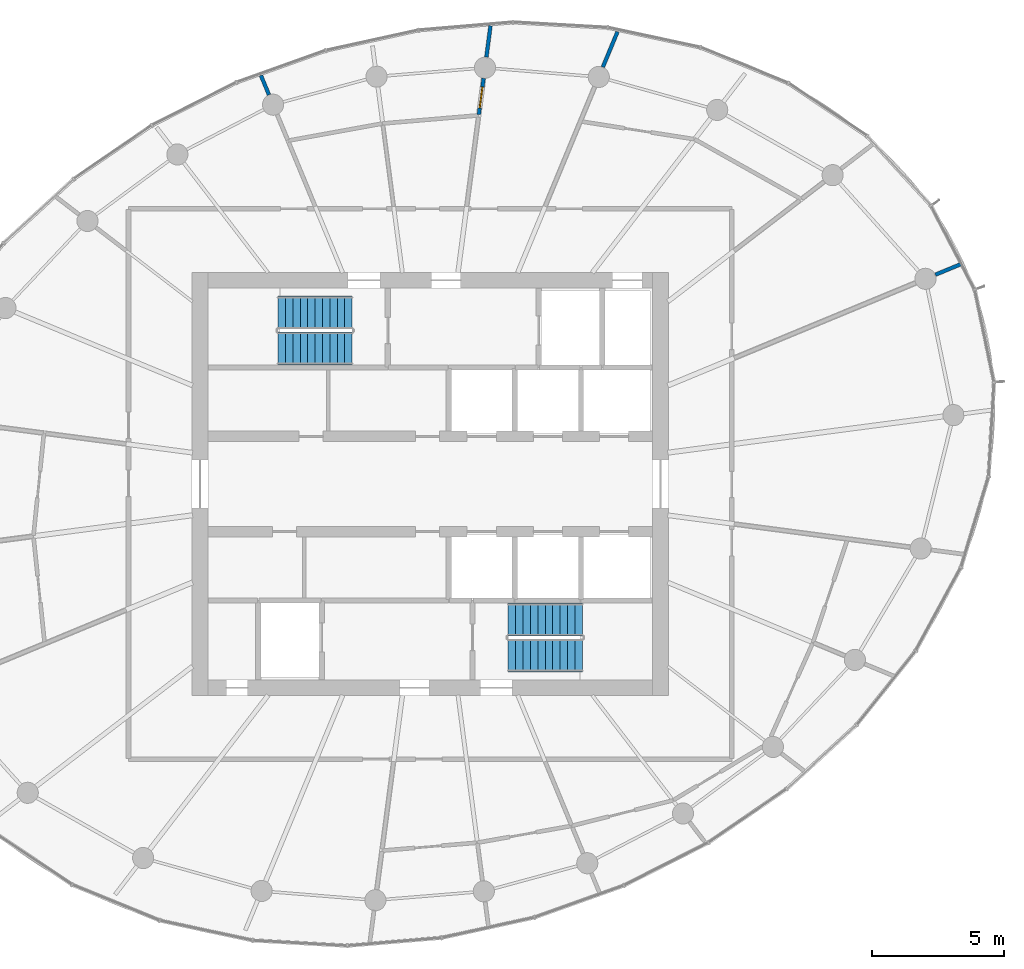
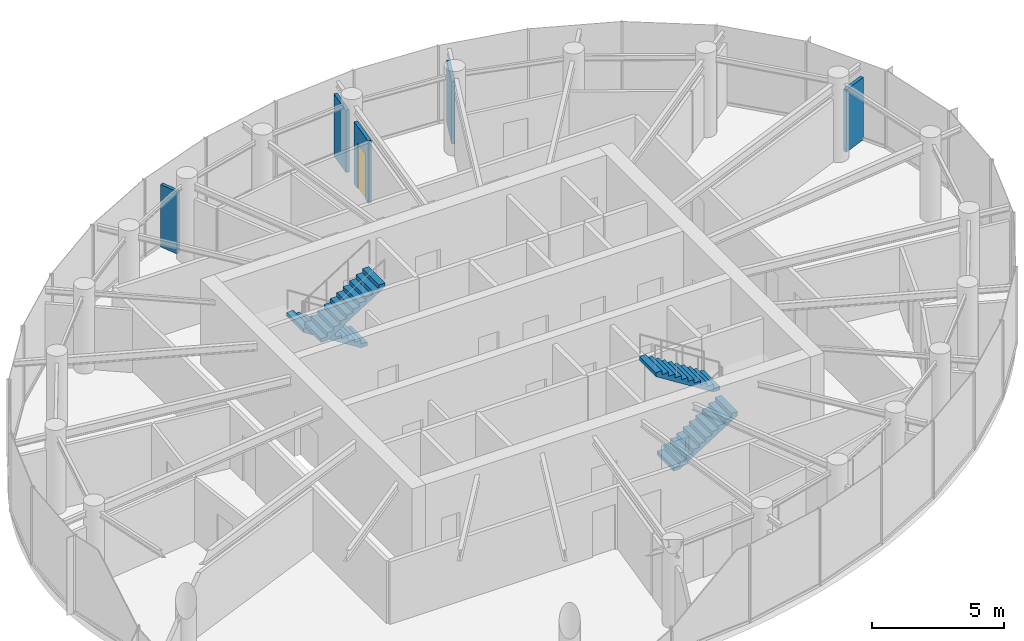
# One storey, part 11 of 13: 5 walls, 4 stair flights, 1 door, 1 opening, 2 elements without a shape of their own.
"""IFC4 building model written with IfcOpenShell, lengths in metres."""

from ifc_helpers import new_model, si_unit, direction, frame, frame_2d, origin, place, context, subcontext, project, spatial, line, indexed_curve, rectangle, outline, extrude, source, transform, mapped, material, layer, layer_set, type_object, element, fill, aggregate, save


model = new_model("IFC4")

# Units and contexts
model_context = context("Model", 3, precision=1e-05, world=origin(), true_north=direction((0.0, 1.0)))
body_context = subcontext(model_context, "Body", "Model", "MODEL_VIEW")
ifc_project = project(units=[si_unit("LENGTHUNIT", "METRE"), si_unit("AREAUNIT", "SQUARE_METRE"), si_unit("VOLUMEUNIT", "CUBIC_METRE"), si_unit("PLANEANGLEUNIT", "RADIAN"), si_unit("MASSUNIT", "GRAM", prefix="KILO")], contexts=[model_context])

# Site, building, storey
site_placement = place(None, origin())
site = spatial("IfcSite", under=ifc_project, at=site_placement, CompositionType="ELEMENT")
building_placement = place(site_placement, origin())
building = spatial("IfcBuilding", under=site, at=building_placement, Name="Spindrift Exchange Tower", CompositionType="ELEMENT")
storey_placement = place(building_placement, frame((0.0, 0.0, 246.199951171875)))
storey = spatial("IfcBuildingStorey", under=building, at=storey_placement, Name="L60", CompositionType="ELEMENT", Elevation=246.199951171875)

# Wall
ifc_material_1 = material(Name="Fire-rated plasterboard partition", Category="gypsum")
ifc_layer_1 = layer(ifc_material_1, 0.139892578125)
ifc_layer_set_1 = layer_set([ifc_layer_1], Name="W-PART-140")
wall_type_1 = type_object("IfcWallType", Name="W-PART-140", PredefinedType="PARTITIONING", material=ifc_layer_set_1)
wall_1_placement = place(storey_placement, frame((58.526611328125, 63.7568359375, 0.0), z_axis=(0.0, 0.0, 1.0), x_axis=(0.382765075607, 0.923845710547, 0.0)))
element("IfcWall", 1, at=wall_1_placement, inside=storey, type_object=wall_type_1, Name="L60 Partition wall 61", PredefinedType="PARTITIONING", context=body_context, shape_type="SweptSolid", body=[
    extrude(rectangle(XDim=1.443359375, YDim=0.139892578125, at=frame_2d((0.7216796875, 0.0))), origin(), (0.0, 0.0, 1.0), 2.880126953125),
])

# Wall, opening, door
wall_2_placement = place(storey_placement, frame((53.838134765625, 61.961669921875, 0.0), z_axis=(0.0, 0.0, 1.0), x_axis=(0.130541449635, 0.991442852578, 0.0)))
wall_2 = element("IfcWall", 2, at=wall_2_placement, inside=storey, type_object=wall_type_1, Name="L60 Partition wall 62", PredefinedType="PARTITIONING", context=body_context, shape_type="SweptSolid", body=[
    extrude(rectangle(XDim=1.380126953125, YDim=0.139892578125, at=frame_2d((0.68994140625, 0.0))), origin(), (0.0, 0.0, 1.0), 2.880126953125),
])
opening_placement = place(wall_2_placement, frame((0.25, 0.0, 0.0)))
opening = element("IfcOpeningElement", 3, at=opening_placement, cuts=wall_2, Name="Opening L60-D44", PredefinedType="OPENING", context=body_context, shape_type="SweptSolid", body=[
    extrude(rectangle(XDim=0.800048828125, YDim=2.10009765625, at=frame_2d((0.39990234375, 1.050048828125))), frame((0.0, 0.079833984375, 0.0), z_axis=(0.0, -1.0, 0.0), x_axis=(1.0, 0.0, 0.0)), (0.0, 0.0, 1.0), 0.159912109375),
])
ifc_material_2 = material(Name="Timber-core fire door", Category="wood")
door_type = type_object("IfcDoorType", Name="DR-ROOM-800", OperationType="NOTDEFINED", PredefinedType="DOOR", material=ifc_material_2)
shared_shape = source(origin(), body_context, "Body", "SweptSolid", [
    extrude(rectangle(XDim=0.800048828125, YDim=2.10009765625, at=frame_2d((0.39990234375, 1.050048828125))), frame((0.0, 0.02490234375, 0.0), z_axis=(0.0, -1.0, 0.0), x_axis=(1.0, 0.0, 0.0)), (0.0, 0.0, 1.0), 0.050048828125),
])
door_placement = place(opening_placement, origin())
door = element("IfcDoor", 4, at=door_placement, inside=storey, type_object=door_type, Name="L60 Door 44", OperationType="SINGLE_SWING_LEFT", OverallHeight=2.10009765625, OverallWidth=0.800048828125, PredefinedType="DOOR", context=body_context, shape_type="MappedRepresentation", body=[
    mapped(shared_shape, transform((0.0, 0.0, 0.0), scale=1.0)),
])
fill(opening, door)

# Walls
wall_3_placement = place(storey_placement, frame((54.123779296875, 64.13232421875, 0.0), z_axis=(0.0, 0.0, 1.0), x_axis=(0.130570798277, 0.991438987854, 0.0)))
element("IfcWall", 5, at=wall_3_placement, inside=storey, type_object=wall_type_1, Name="L60 Partition wall 67", PredefinedType="PARTITIONING", context=body_context, shape_type="SweptSolid", body=[
    extrude(rectangle(XDim=1.19482421875, YDim=0.139892578125, at=frame_2d((0.597412109375, 0.0))), origin(), (0.0, 0.0, 1.0), 2.880126953125),
])
wall_4_placement = place(storey_placement, frame((45.90771484375, 62.708251953125, 0.0), z_axis=(0.0, 0.0, 1.0), x_axis=(-0.382669005831, 0.923885508045, 0.0)))
element("IfcWall", 6, at=wall_4_placement, inside=storey, type_object=wall_type_1, Name="L60 Partition wall 79", PredefinedType="PARTITIONING", context=body_context, shape_type="SweptSolid", body=[
    extrude(rectangle(XDim=0.79296875, YDim=0.139892578125, at=frame_2d((0.396484375, 0.0))), origin(), (0.0, 0.0, 1.0), 2.880126953125),
])
ifc_layer_2 = layer(ifc_material_1, 0.139892578125)
ifc_layer_set_2 = layer_set([ifc_layer_2], Name="W-PLANT-140")
wall_type_2 = type_object("IfcWallType", Name="W-PLANT-140", PredefinedType="PARTITIONING", material=ifc_layer_set_2)
wall_5_placement = place(storey_placement, frame((71.09375, 55.908935546875, 0.0), z_axis=(0.0, 0.0, 1.0), x_axis=(0.92391047829, 0.382608714102, 0.0)))
element("IfcWall", 7, at=wall_5_placement, inside=storey, type_object=wall_type_2, Name="L60 Partition wall 76", PredefinedType="PARTITIONING", context=body_context, shape_type="SweptSolid", body=[
    extrude(rectangle(XDim=1.06298828125, YDim=0.139892578125, at=frame_2d((0.531494140625, 0.0))), origin(), (0.0, 0.0, 1.0), 2.880126953125),
])

# Stair, stair flights
ifc_material_3 = material(Name="Concrete 50 MPa", Category="concrete")
stair_type = type_object("IfcStairType", Name="ST-1250-R177", PredefinedType="HALF_TURN_STAIR", material=ifc_material_3)
stair_1_placement = place(storey_placement, origin())
stair_1 = element("IfcStair", 8, at=stair_1_placement, inside=storey, type_object=stair_type, Name="L60 Exit stair ST1", PredefinedType="HALF_TURN_STAIR")
stair_flight_type = type_object("IfcStairFlightType", Name="STF-1250-R177", PredefinedType="STRAIGHT", material=ifc_material_3)
stair_flight_1_placement = place(storey_placement, frame((49.050048828125, 54.47509765625, 0.0), z_axis=(0.0, 0.0, 1.0), x_axis=(-1.0, 0.0, 0.0)))
stair_flight_1 = element("IfcStairFlight", 9, at=stair_flight_1_placement, type_object=stair_flight_type, Name="ST1 flight 1", NumberOfRisers=11, NumberOfTreads=10, PredefinedType="STRAIGHT", RiserHeight=0.177272727, TreadLength=0.28, context=body_context, shape_type="SweptSolid", body=[
    extrude(outline(indexed_curve([(0.0, 0.0), (0.0, 0.177734375), (0.2802734375, 0.177734375), (0.2802734375, 0.3544921875), (0.5595703125, 0.3544921875), (0.5595703125, 0.5322265625), (0.83984375, 0.5322265625), (0.83984375, 0.708984375), (1.1201171875, 0.708984375), (1.1201171875, 0.88671875), (1.400390625, 0.88671875), (1.400390625, 1.0634765625), (1.6796875, 1.0634765625), (1.6796875, 1.2412109375), (1.9599609375, 1.2412109375), (1.9599609375, 1.41796875), (2.240234375, 1.41796875), (2.240234375, 1.595703125), (2.51953125, 1.595703125), (2.51953125, 1.7724609375), (2.7998046875, 1.7724609375), (2.7998046875, 1.9501953125), (2.7998046875, 1.595703125), (0.2802734375, 0.0)], segments=[line(1, 2, 3, 4, 5, 6, 7, 8, 9, 10, 11, 12, 13, 14, 15, 16, 17, 18, 19, 20, 21, 22, 23, 24, 1)], self_intersect=False)), frame((0.0, 0.625, 0.0), z_axis=(0.0, -1.0, 0.0), x_axis=(1.0, 0.0, 0.0)), (0.0, 0.0, 1.0), 1.25),
])
stair_flight_2_placement = place(storey_placement, frame((46.25, 53.125, 1.949951171875), z_axis=(0.0, 0.0, 1.0), x_axis=(1.0, 0.0, 0.0)))
stair_flight_2 = element("IfcStairFlight", 10, at=stair_flight_2_placement, type_object=stair_flight_type, Name="ST1 flight 2", NumberOfRisers=11, NumberOfTreads=10, PredefinedType="STRAIGHT", RiserHeight=0.177272727, TreadLength=0.28, context=body_context, shape_type="SweptSolid", body=[
    extrude(outline(indexed_curve([(0.0, 0.0), (0.0, 0.177734375), (0.2802734375, 0.177734375), (0.2802734375, 0.3544921875), (0.5595703125, 0.3544921875), (0.5595703125, 0.5322265625), (0.83984375, 0.5322265625), (0.83984375, 0.708984375), (1.1201171875, 0.708984375), (1.1201171875, 0.88671875), (1.400390625, 0.88671875), (1.400390625, 1.0634765625), (1.6796875, 1.0634765625), (1.6796875, 1.2412109375), (1.9599609375, 1.2412109375), (1.9599609375, 1.41796875), (2.240234375, 1.41796875), (2.240234375, 1.595703125), (2.51953125, 1.595703125), (2.51953125, 1.7724609375), (2.7998046875, 1.7724609375), (2.7998046875, 1.9501953125), (2.7998046875, 1.595703125), (0.2802734375, 0.0)], segments=[line(1, 2, 3, 4, 5, 6, 7, 8, 9, 10, 11, 12, 13, 14, 15, 16, 17, 18, 19, 20, 21, 22, 23, 24, 1)], self_intersect=False)), frame((0.0, 0.625, 0.0), z_axis=(0.0, -1.0, 0.0), x_axis=(1.0, 0.0, 0.0)), (0.0, 0.0, 1.0), 1.25),
])
aggregate(stair_1, [stair_flight_1, stair_flight_2])

stair_2_placement = place(storey_placement, origin())
stair_2 = element("IfcStair", 11, at=stair_2_placement, inside=storey, type_object=stair_type, Name="L60 Exit stair ST2", PredefinedType="HALF_TURN_STAIR")
stair_flight_3_placement = place(storey_placement, frame((54.949951171875, 41.52490234375, 0.0), z_axis=(0.0, 0.0, 1.0), x_axis=(1.0, 0.0, 0.0)))
stair_flight_3 = element("IfcStairFlight", 12, at=stair_flight_3_placement, type_object=stair_flight_type, Name="ST2 flight 1", NumberOfRisers=11, NumberOfTreads=10, PredefinedType="STRAIGHT", RiserHeight=0.177272727, TreadLength=0.28, context=body_context, shape_type="SweptSolid", body=[
    extrude(outline(indexed_curve([(0.0, 0.0), (0.0, 0.177734375), (0.2802734375, 0.177734375), (0.2802734375, 0.3544921875), (0.5595703125, 0.3544921875), (0.5595703125, 0.5322265625), (0.83984375, 0.5322265625), (0.83984375, 0.708984375), (1.1201171875, 0.708984375), (1.1201171875, 0.88671875), (1.400390625, 0.88671875), (1.400390625, 1.0634765625), (1.6796875, 1.0634765625), (1.6796875, 1.2412109375), (1.9599609375, 1.2412109375), (1.9599609375, 1.41796875), (2.240234375, 1.41796875), (2.240234375, 1.595703125), (2.51953125, 1.595703125), (2.51953125, 1.7724609375), (2.7998046875, 1.7724609375), (2.7998046875, 1.9501953125), (2.7998046875, 1.595703125), (0.2802734375, 0.0)], segments=[line(1, 2, 3, 4, 5, 6, 7, 8, 9, 10, 11, 12, 13, 14, 15, 16, 17, 18, 19, 20, 21, 22, 23, 24, 1)], self_intersect=False)), frame((0.0, 0.625, 0.0), z_axis=(0.0, -1.0, 0.0), x_axis=(1.0, 0.0, 0.0)), (0.0, 0.0, 1.0), 1.25),
])
stair_flight_4_placement = place(storey_placement, frame((57.75, 42.875, 1.949951171875), z_axis=(0.0, 0.0, 1.0), x_axis=(-1.0, 0.0, 0.0)))
stair_flight_4 = element("IfcStairFlight", 13, at=stair_flight_4_placement, type_object=stair_flight_type, Name="ST2 flight 2", NumberOfRisers=11, NumberOfTreads=10, PredefinedType="STRAIGHT", RiserHeight=0.177272727, TreadLength=0.28, context=body_context, shape_type="SweptSolid", body=[
    extrude(outline(indexed_curve([(0.0, 0.0), (0.0, 0.177734375), (0.2802734375, 0.177734375), (0.2802734375, 0.3544921875), (0.5595703125, 0.3544921875), (0.5595703125, 0.5322265625), (0.83984375, 0.5322265625), (0.83984375, 0.708984375), (1.1201171875, 0.708984375), (1.1201171875, 0.88671875), (1.400390625, 0.88671875), (1.400390625, 1.0634765625), (1.6796875, 1.0634765625), (1.6796875, 1.2412109375), (1.9599609375, 1.2412109375), (1.9599609375, 1.41796875), (2.240234375, 1.41796875), (2.240234375, 1.595703125), (2.51953125, 1.595703125), (2.51953125, 1.7724609375), (2.7998046875, 1.7724609375), (2.7998046875, 1.9501953125), (2.7998046875, 1.595703125), (0.2802734375, 0.0)], segments=[line(1, 2, 3, 4, 5, 6, 7, 8, 9, 10, 11, 12, 13, 14, 15, 16, 17, 18, 19, 20, 21, 22, 23, 24, 1)], self_intersect=False)), frame((0.0, 0.625, 0.0), z_axis=(0.0, -1.0, 0.0), x_axis=(1.0, 0.0, 0.0)), (0.0, 0.0, 1.0), 1.25),
])
aggregate(stair_2, [stair_flight_3, stair_flight_4])

save(model, "model.ifc")
